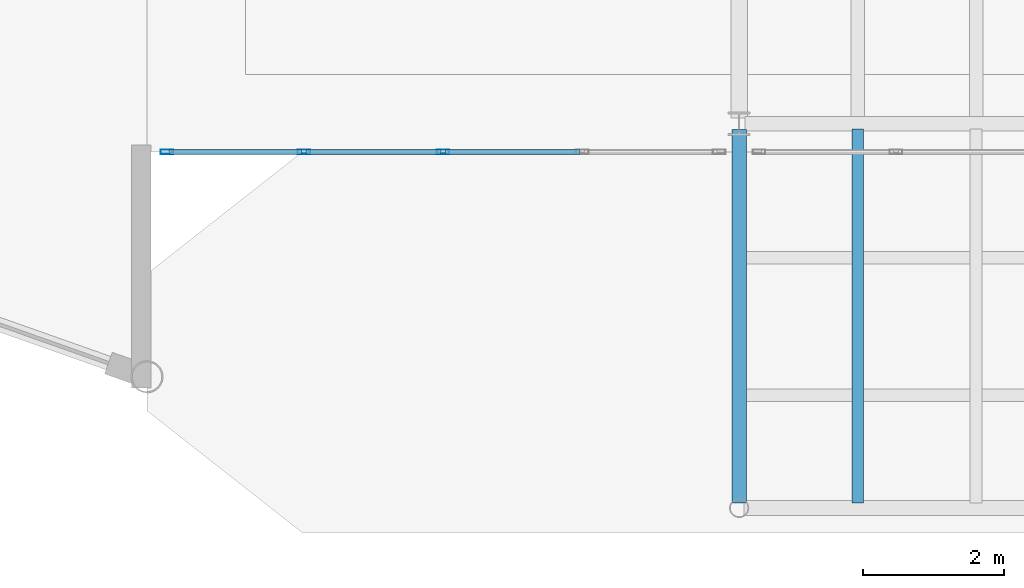
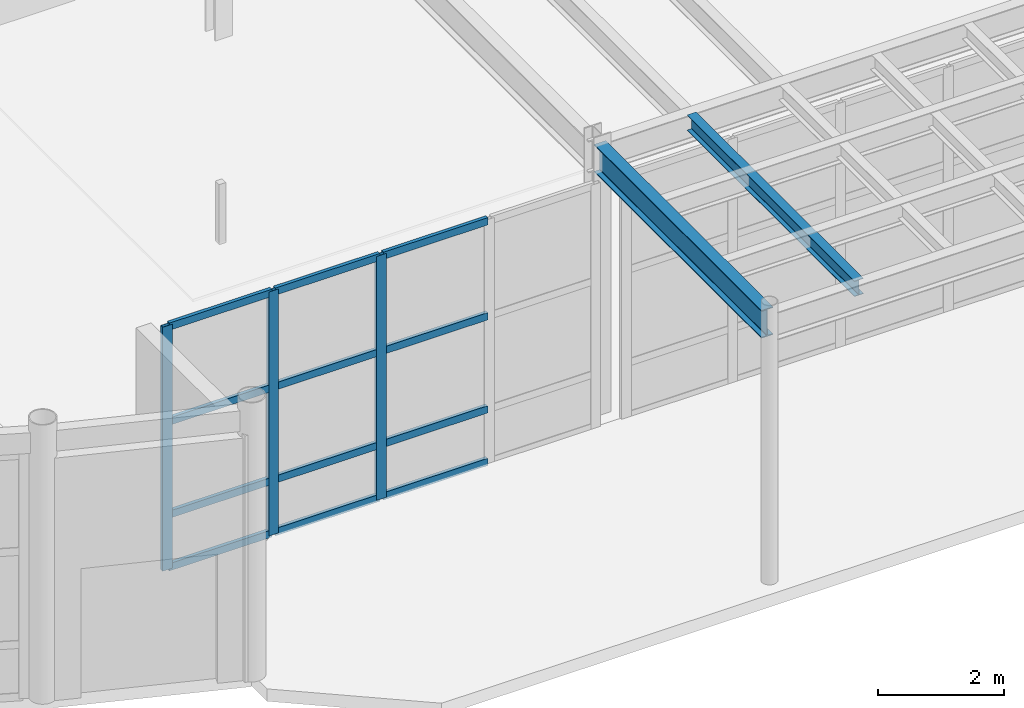
# One storey, part 25 of 87: 15 members, 2 beams, 1 element without a shape of its own.
"""IFC4 building model written with IfcOpenShell, lengths in metres."""

import ifcopenshell
import ifcopenshell.guid

model = None  # the IFC model being written
_history = None  # IfcOwnerHistory: only IFC2X3 demands one
_inside = {}  # id of a spatial element -> (the spatial element, [elements in it])
_under = {}  # id of a project, library or spatial element -> (it, [spatial elements below it])
_declared = {}  # id of a project -> (the project, [libraries it declares])
_typed = {}  # id of a type object -> (the type object, [elements of that type])
_made_of = {}  # id of a material, layer set ... -> (it, [elements and type objects made of it])


def new_model(schema):
    """Start an empty IFC model of exactly this schema.

    Asked for "IFC4X3", IfcOpenShell would pick the latest addendum, in which some entities
    have other attributes; the version numbers below select the first issue.
    IFC2X3 requires an IfcOwnerHistory on every rooted entity: one is made here for all.
    """
    global model, _history
    if schema == "IFC4X3":
        model = ifcopenshell.file(schema_version=(4, 3, 0, 0))
    else:
        model = ifcopenshell.file(schema=schema)
    _inside.clear()
    _under.clear()
    _declared.clear()
    _typed.clear()
    _made_of.clear()
    _history = None
    if model.schema == "IFC2X3":
        org = make("IfcOrganization", Name="unknown")
        user = make(
            "IfcPersonAndOrganization",
            ThePerson=make("IfcPerson", FamilyName="unknown"),
            TheOrganization=org,
        )
        app = make(
            "IfcApplication",
            ApplicationDeveloper=org,
            Version="unknown",
            ApplicationFullName="unknown",
            ApplicationIdentifier="unknown",
        )
        _history = make(
            "IfcOwnerHistory",
            OwningUser=user,
            OwningApplication=app,
            ChangeAction="ADDED",
            CreationDate=0,
        )
    return model


def make(cls, **values):
    """One entity of the class cls with the attributes given. An attribute that is None is left unset."""
    return model.create_entity(
        cls, **{name: value for name, value in values.items() if value is not None}
    )


def rooted(cls, **values):
    """An entity with a GlobalId (a new one), such as an element, a storey or a relation."""
    return make(cls, GlobalId=ifcopenshell.guid.new(), OwnerHistory=_history, **values)


def si_unit(unit_type, name, prefix=None):
    """IfcSIUnit, for example si_unit("LENGTHUNIT", "METRE", prefix="MILLI")."""
    return make("IfcSIUnit", UnitType=unit_type, Prefix=prefix, Name=name)


def assignment(units):
    """IfcUnitAssignment: the units of a project."""
    return None if units is None else make("IfcUnitAssignment", Units=units)


def point(xyz):
    """IfcCartesianPoint."""
    return None if xyz is None else make("IfcCartesianPoint", Coordinates=xyz)


def direction(xyz):
    """IfcDirection."""
    return None if xyz is None else make("IfcDirection", DirectionRatios=xyz)


def frame(location, z_axis=None, x_axis=None):
    """IfcAxis2Placement3D, a coordinate frame: its origin and axes. An axis left out is left unset."""
    return make(
        "IfcAxis2Placement3D",
        Location=point(location),
        Axis=direction(z_axis),
        RefDirection=direction(x_axis),
    )


def frame_2d(location, x_axis=None):
    """IfcAxis2Placement2D, a coordinate frame in the plane: its origin and x axis."""
    return make(
        "IfcAxis2Placement2D", Location=point(location), RefDirection=direction(x_axis)
    )


def origin():
    """The frame at (0, 0, 0) with its axes left unset."""
    return frame((0.0, 0.0, 0.0))


def origin_2d():
    """The frame at (0, 0) in the plane with its x axis left unset."""
    return frame_2d((0.0, 0.0))


def place(relative_to, where):
    """IfcLocalPlacement: puts the frame where relative to a parent placement (None: the world)."""
    return make(
        "IfcLocalPlacement", PlacementRelTo=relative_to, RelativePlacement=where
    )


def context(
    kind, dimensions, precision=None, world=None, true_north=None, identifier=None
):
    """IfcGeometricRepresentationContext, for example the 3D "Model" context."""
    return make(
        "IfcGeometricRepresentationContext",
        ContextIdentifier=identifier,
        ContextType=kind,
        CoordinateSpaceDimension=dimensions,
        Precision=precision,
        WorldCoordinateSystem=world,
        TrueNorth=true_north,
    )


def subcontext(parent, identifier, kind, view, scale=None):
    """IfcGeometricRepresentationSubContext, for example "Body" below "Model"."""
    return make(
        "IfcGeometricRepresentationSubContext",
        ContextIdentifier=identifier,
        ContextType=kind,
        ParentContext=parent,
        TargetScale=scale,
        TargetView=view,
    )


def project(units=None, contexts=None):
    """IfcProject with its units and contexts."""
    return rooted(
        "IfcProject",
        Name="project",
        RepresentationContexts=contexts,
        UnitsInContext=assignment(units),
    )


def spatial(cls, under=None, at=None, **own):
    """A site, building, storey or space (cls), placed at a placement, below another one or the project."""
    s = rooted(cls, ObjectPlacement=at, **own)
    if under is not None:
        _under.setdefault(under.id(), (under, []))[1].append(s)
    return s


def profile(cls, at=None, kind="AREA", **sizes):
    """A parametric profile (cls). Its sizes go by their IFC names, for example OverallWidth=200.0."""
    return make(cls, ProfileType=kind, Position=at, **sizes)


def hollow_rectangle(**sizes):
    """IfcRectangleHollowProfileDef."""
    return profile("IfcRectangleHollowProfileDef", **sizes)


def i_section(**sizes):
    """IfcIShapeProfileDef."""
    return profile("IfcIShapeProfileDef", **sizes)


def extrude(swept, where, along, depth):
    """IfcExtrudedAreaSolid: the profile swept, set in the frame where, extruded along a direction by depth."""
    return make(
        "IfcExtrudedAreaSolid",
        SweptArea=swept,
        Position=where,
        ExtrudedDirection=direction(along),
        Depth=depth,
    )


def shape(context_of_items, identifier, shape_type, items):
    """IfcShapeRepresentation: the items that make up one representation, for example the "Body"."""
    return make(
        "IfcShapeRepresentation",
        ContextOfItems=context_of_items,
        RepresentationIdentifier=identifier,
        RepresentationType=shape_type,
        Items=items,
    )


def material(Name=None, Category=None):
    """IfcMaterial."""
    return make("IfcMaterial", Name=Name, Category=Category)


def layer(
    of_material, thickness, ventilated=None, Name=None, Category=None, Priority=None
):
    """IfcMaterialLayer: one layer of a wall or slab, of a material (None: an air gap)."""
    return make(
        "IfcMaterialLayer",
        Material=of_material,
        LayerThickness=thickness,
        IsVentilated=ventilated,
        Name=Name,
        Category=Category,
        Priority=Priority,
    )


def layer_set(layers, Name=None):
    """IfcMaterialLayerSet."""
    return make("IfcMaterialLayerSet", MaterialLayers=layers, LayerSetName=Name)


def material_profile(
    of_material, cross_section, Name=None, Category=None, Priority=None
):
    """IfcMaterialProfile: a cross section and its material."""
    return make(
        "IfcMaterialProfile",
        Name=Name,
        Material=of_material,
        Profile=cross_section,
        Priority=Priority,
        Category=Category,
    )


def profile_set(profiles, Name=None, composite=None):
    """IfcMaterialProfileSet."""
    return make(
        "IfcMaterialProfileSet",
        Name=Name,
        MaterialProfiles=profiles,
        CompositeProfile=composite,
    )


def made_of(thing, what):
    """Note that an element or type object is made of a material, layer set ...; save() writes the relation."""
    if what is not None:
        _made_of.setdefault(what.id(), (what, []))[1].append(thing)
    return thing


def type_object(cls, material=None, **own):
    """A type object (cls), such as IfcWallType, which elements share."""
    return made_of(rooted(cls, **own), material)


def element(
    cls,
    number,
    at=None,
    inside=None,
    cuts=None,
    type_object=None,
    material=None,
    context=None,
    identifier="Body",
    shape_type=None,
    held_by="IfcProductDefinitionShape",
    body=None,
    shapes=None,
    **own,
):
    """One element of the class cls, such as IfcWall. Its Tag is "e" and its number.

    at: its placement. inside: the storey or other place that contains it. cuts: it is an
    opening in that element (IfcRelVoidsElement). A single representation is given by context,
    identifier, shape_type and body (its items); several are given by shapes. held_by: the class
    of the entity that holds the representations. save() writes the other relations.
    """
    e = rooted(cls, Tag="e%d" % number, ObjectPlacement=at, **own)
    if body is not None:
        shapes = [shape(context, identifier, shape_type, body)]
    if shapes is not None:
        e.Representation = make(held_by, Representations=shapes)
    if inside is not None:
        _inside.setdefault(inside.id(), (inside, []))[1].append(e)
    if cuts is not None:
        rooted(
            "IfcRelVoidsElement", RelatingBuildingElement=cuts, RelatedOpeningElement=e
        )
    if type_object is not None:
        _typed.setdefault(type_object.id(), (type_object, []))[1].append(e)
    return made_of(e, material)


def aggregate(whole, parts):
    """IfcRelAggregates: a whole, such as a stair, and the parts it consists of."""
    return rooted("IfcRelAggregates", RelatingObject=whole, RelatedObjects=parts)


def save(model, path):
    """Write the relations noted so far, then the file.

    IfcRelAggregates (storeys below a building ...), IfcRelContainedInSpatialStructure (elements
    in a storey), IfcRelDefinesByType, IfcRelAssociatesMaterial and IfcRelDeclares: one each for
    every whole, place, type object, material and project.
    """
    for whole, parts in _under.values():
        aggregate(whole, parts)
    for where, things in _inside.values():
        rooted(
            "IfcRelContainedInSpatialStructure",
            RelatedElements=things,
            RelatingStructure=where,
        )
    for kind, things in _typed.values():
        rooted("IfcRelDefinesByType", RelatedObjects=things, RelatingType=kind)
    for what, things in _made_of.values():
        rooted("IfcRelAssociatesMaterial", RelatedObjects=things, RelatingMaterial=what)
    for by, libraries in _declared.values():
        rooted("IfcRelDeclares", RelatingContext=by, RelatedDefinitions=libraries)
    model.write(path)


model = new_model("IFC4")

# Units and contexts
model_context = context("Model", 3, precision=1e-05, world=origin(), true_north=direction((0.0, 1.0)))
body_context = subcontext(model_context, "Body", "Model", "MODEL_VIEW")
ifc_project = project(units=[si_unit("LENGTHUNIT", "METRE"), si_unit("AREAUNIT", "SQUARE_METRE"), si_unit("VOLUMEUNIT", "CUBIC_METRE"), si_unit("PLANEANGLEUNIT", "RADIAN"), si_unit("MASSUNIT", "GRAM", prefix="KILO")], contexts=[model_context])

# Site, building, storey
site_placement = place(None, origin())
site = spatial("IfcSite", under=ifc_project, at=site_placement, CompositionType="ELEMENT")
building_placement = place(site_placement, origin())
building = spatial("IfcBuilding", under=site, at=building_placement, Name="Selat Folded Stagehouse", CompositionType="ELEMENT")
storey_placement = place(building_placement, origin())
storey = spatial("IfcBuildingStorey", under=building, at=storey_placement, Name="L00", CompositionType="ELEMENT", Elevation=0.0)

# Beam
ifc_material_1 = material(Name="Steel S355", Category="steel")
ifc_material_profile_1 = material_profile(ifc_material_1, i_section(OverallWidth=0.210693359375, OverallDepth=0.53955078125, WebThickness=0.01171875, FlangeThickness=0.018798828125, FilletRadius=0.0126953125, at=origin_2d()), Name="UKB 533x210x109")
ifc_profile_set_1 = profile_set([ifc_material_profile_1], Name="Steel S355")
beam_type_1 = type_object("IfcBeamType", Name="BM-GIRD-533x210x109", PredefinedType="BEAM", material=ifc_profile_set_1)
beam_1_placement = place(storey_placement, frame((42.0, 0.418212890625, 4.940185546875), z_axis=(0.0, 1.0, 0.0), x_axis=(-1.0, 0.0, 0.0)))
element("IfcBeam", 1, at=beam_1_placement, inside=storey, type_object=beam_type_1, Name="L00 primary y-girder 0564", PredefinedType="BEAM", context=body_context, shape_type="SweptSolid", body=[
    extrude(i_section(OverallWidth=0.210693359375, OverallDepth=0.53955078125, WebThickness=0.01171875, FlangeThickness=0.018798828125, FilletRadius=0.0126953125, at=origin_2d()), origin(), (0.0, 0.0, 1.0), 5.3017578125),
])

# Curtain wall, members
ifc_material_2 = material(Name="Aluminium 6063-T6", Category="aluminium")
ifc_layer = layer(ifc_material_2, 0.2099609375)
ifc_layer_set = layer_set([ifc_layer], Name="Aluminium 6063-T6")
curtain_wall_type = type_object("IfcCurtainWallType", Name="CW-FYR-SOUTH", PredefinedType="NOTDEFINED", material=ifc_layer_set)
curtain_wall_placement = place(storey_placement, origin())
curtain_wall = element("IfcCurtainWall", 2, at=curtain_wall_placement, inside=storey, type_object=curtain_wall_type, Name="L00 curtain wall CW-FYR-L00-00", PredefinedType="NOTDEFINED")
ifc_material_profile_2 = material_profile(ifc_material_2, hollow_rectangle(XDim=0.06494140625, YDim=0.179931640625, WallThickness=0.00390625, at=origin_2d()), Name="ALU 180x65x4.0")
ifc_profile_set_2 = profile_set([ifc_material_profile_2], Name="Aluminium 6063-T6")
member_type_1 = type_object("IfcMemberType", Name="CWM-MUL-180x65", PredefinedType="MULLION", material=ifc_profile_set_2)
member_1_placement = place(storey_placement, frame((37.800048828125, 5.39990234375, 0.0), z_axis=(0.0, 0.0, 1.0), x_axis=(0.0, -1.0, 0.0)))
member_1 = element("IfcMember", 3, at=member_1_placement, type_object=member_type_1, Name="CW-04 mullion 3", PredefinedType="MULLION", context=body_context, shape_type="SweptSolid", body=[
    extrude(hollow_rectangle(XDim=0.06494140625, YDim=0.179931640625, WallThickness=0.00390625, at=origin_2d()), origin(), (0.0, 0.0, 1.0), 4.719970703125),
])
member_2_placement = place(storey_placement, frame((35.824951171875, 5.39990234375, 0.0), z_axis=(0.0, 0.0, 1.0), x_axis=(0.0, -1.0, 0.0)))
member_2 = element("IfcMember", 4, at=member_2_placement, type_object=member_type_1, Name="CW-04 mullion 4", PredefinedType="MULLION", context=body_context, shape_type="SweptSolid", body=[
    extrude(hollow_rectangle(XDim=0.06494140625, YDim=0.179931640625, WallThickness=0.00390625, at=origin_2d()), origin(), (0.0, 0.0, 1.0), 4.719970703125),
])
member_3_placement = place(storey_placement, frame((33.882568359375, 5.39990234375, 0.0), z_axis=(0.0, 0.0, 1.0), x_axis=(0.0, -1.0, 0.0)))
member_3 = element("IfcMember", 5, at=member_3_placement, type_object=member_type_1, Name="CW-04 mullion 5", PredefinedType="MULLION", context=body_context, shape_type="SweptSolid", body=[
    extrude(hollow_rectangle(XDim=0.06494140625, YDim=0.179931640625, WallThickness=0.00390625, at=origin_2d()), origin(), (0.0, 0.0, 1.0), 4.719970703125),
])
ifc_material_profile_3 = material_profile(ifc_material_2, hollow_rectangle(XDim=0.06494140625, YDim=0.139892578125, WallThickness=0.00390625, at=origin_2d()), Name="ALU 140x65x4.0")
ifc_profile_set_3 = profile_set([ifc_material_profile_3], Name="Aluminium 6063-T6")
member_type_2 = type_object("IfcMemberType", Name="CWM-TRN-140x65", PredefinedType="USERDEFINED", material=ifc_profile_set_3)
member_4_placement = place(storey_placement, frame((39.742431640625, 5.39990234375, 0.032470703125), z_axis=(-1.0, 0.0, 0.0), x_axis=(0.0, -1.0, 0.0)))
member_4 = element("IfcMember", 6, at=member_4_placement, type_object=member_type_2, Name="CW-04 transom 2.1", ObjectType="TRANSOM", PredefinedType="USERDEFINED", context=body_context, shape_type="SweptSolid", body=[
    extrude(hollow_rectangle(XDim=0.06494140625, YDim=0.139892578125, WallThickness=0.00390625, at=origin_2d()), origin(), (0.0, 0.0, 1.0), 1.909912109375),
])
member_5_placement = place(storey_placement, frame((39.742431640625, 5.39990234375, 1.050048828125), z_axis=(-1.0, 0.0, 0.0), x_axis=(0.0, -1.0, 0.0)))
member_5 = element("IfcMember", 7, at=member_5_placement, type_object=member_type_2, Name="CW-04 transom 2.2", ObjectType="TRANSOM", PredefinedType="USERDEFINED", context=body_context, shape_type="SweptSolid", body=[
    extrude(hollow_rectangle(XDim=0.06494140625, YDim=0.139892578125, WallThickness=0.00390625, at=origin_2d()), origin(), (0.0, 0.0, 1.0), 1.909912109375),
])
member_6_placement = place(storey_placement, frame((39.742431640625, 5.39990234375, 2.85009765625), z_axis=(-1.0, 0.0, 0.0), x_axis=(0.0, -1.0, 0.0)))
member_6 = element("IfcMember", 8, at=member_6_placement, type_object=member_type_2, Name="CW-04 transom 2.3", ObjectType="TRANSOM", PredefinedType="USERDEFINED", context=body_context, shape_type="SweptSolid", body=[
    extrude(hollow_rectangle(XDim=0.06494140625, YDim=0.139892578125, WallThickness=0.00390625, at=origin_2d()), origin(), (0.0, 0.0, 1.0), 1.909912109375),
])
member_7_placement = place(storey_placement, frame((39.742431640625, 5.39990234375, 4.6875), z_axis=(-1.0, 0.0, 0.0), x_axis=(0.0, -1.0, 0.0)))
member_7 = element("IfcMember", 9, at=member_7_placement, type_object=member_type_2, Name="CW-04 transom 2.4", ObjectType="TRANSOM", PredefinedType="USERDEFINED", context=body_context, shape_type="SweptSolid", body=[
    extrude(hollow_rectangle(XDim=0.06494140625, YDim=0.139892578125, WallThickness=0.00390625, at=origin_2d()), origin(), (0.0, 0.0, 1.0), 1.909912109375),
])
member_8_placement = place(storey_placement, frame((37.767578125, 5.39990234375, 0.032470703125), z_axis=(-1.0, 0.0, 0.0), x_axis=(0.0, -1.0, 0.0)))
member_8 = element("IfcMember", 10, at=member_8_placement, type_object=member_type_2, Name="CW-04 transom 3.1", ObjectType="TRANSOM", PredefinedType="USERDEFINED", context=body_context, shape_type="SweptSolid", body=[
    extrude(hollow_rectangle(XDim=0.06494140625, YDim=0.139892578125, WallThickness=0.00390625, at=origin_2d()), origin(), (0.0, 0.0, 1.0), 1.91015625),
])
member_9_placement = place(storey_placement, frame((37.767578125, 5.39990234375, 1.050048828125), z_axis=(-1.0, 0.0, 0.0), x_axis=(0.0, -1.0, 0.0)))
member_9 = element("IfcMember", 11, at=member_9_placement, type_object=member_type_2, Name="CW-04 transom 3.2", ObjectType="TRANSOM", PredefinedType="USERDEFINED", context=body_context, shape_type="SweptSolid", body=[
    extrude(hollow_rectangle(XDim=0.06494140625, YDim=0.139892578125, WallThickness=0.00390625, at=origin_2d()), origin(), (0.0, 0.0, 1.0), 1.91015625),
])
member_10_placement = place(storey_placement, frame((37.767578125, 5.39990234375, 2.85009765625), z_axis=(-1.0, 0.0, 0.0), x_axis=(0.0, -1.0, 0.0)))
member_10 = element("IfcMember", 12, at=member_10_placement, type_object=member_type_2, Name="CW-04 transom 3.3", ObjectType="TRANSOM", PredefinedType="USERDEFINED", context=body_context, shape_type="SweptSolid", body=[
    extrude(hollow_rectangle(XDim=0.06494140625, YDim=0.139892578125, WallThickness=0.00390625, at=origin_2d()), origin(), (0.0, 0.0, 1.0), 1.91015625),
])
member_11_placement = place(storey_placement, frame((37.767578125, 5.39990234375, 4.6875), z_axis=(-1.0, 0.0, 0.0), x_axis=(0.0, -1.0, 0.0)))
member_11 = element("IfcMember", 13, at=member_11_placement, type_object=member_type_2, Name="CW-04 transom 3.4", ObjectType="TRANSOM", PredefinedType="USERDEFINED", context=body_context, shape_type="SweptSolid", body=[
    extrude(hollow_rectangle(XDim=0.06494140625, YDim=0.139892578125, WallThickness=0.00390625, at=origin_2d()), origin(), (0.0, 0.0, 1.0), 1.91015625),
])
member_12_placement = place(storey_placement, frame((35.79248046875, 5.39990234375, 0.032470703125), z_axis=(-1.0, 0.0, 0.0), x_axis=(0.0, -1.0, 0.0)))
member_12 = element("IfcMember", 14, at=member_12_placement, type_object=member_type_2, Name="CW-04 transom 4.1", ObjectType="TRANSOM", PredefinedType="USERDEFINED", context=body_context, shape_type="SweptSolid", body=[
    extrude(hollow_rectangle(XDim=0.06494140625, YDim=0.139892578125, WallThickness=0.00390625, at=origin_2d()), origin(), (0.0, 0.0, 1.0), 1.87744140625),
])
member_13_placement = place(storey_placement, frame((35.79248046875, 5.39990234375, 1.050048828125), z_axis=(-1.0, 0.0, 0.0), x_axis=(0.0, -1.0, 0.0)))
member_13 = element("IfcMember", 15, at=member_13_placement, type_object=member_type_2, Name="CW-04 transom 4.2", ObjectType="TRANSOM", PredefinedType="USERDEFINED", context=body_context, shape_type="SweptSolid", body=[
    extrude(hollow_rectangle(XDim=0.06494140625, YDim=0.139892578125, WallThickness=0.00390625, at=origin_2d()), origin(), (0.0, 0.0, 1.0), 1.87744140625),
])
member_14_placement = place(storey_placement, frame((35.79248046875, 5.39990234375, 2.85009765625), z_axis=(-1.0, 0.0, 0.0), x_axis=(0.0, -1.0, 0.0)))
member_14 = element("IfcMember", 16, at=member_14_placement, type_object=member_type_2, Name="CW-04 transom 4.3", ObjectType="TRANSOM", PredefinedType="USERDEFINED", context=body_context, shape_type="SweptSolid", body=[
    extrude(hollow_rectangle(XDim=0.06494140625, YDim=0.139892578125, WallThickness=0.00390625, at=origin_2d()), origin(), (0.0, 0.0, 1.0), 1.87744140625),
])
member_15_placement = place(storey_placement, frame((35.79248046875, 5.39990234375, 4.6875), z_axis=(-1.0, 0.0, 0.0), x_axis=(0.0, -1.0, 0.0)))
member_15 = element("IfcMember", 17, at=member_15_placement, type_object=member_type_2, Name="CW-04 transom 4.4", ObjectType="TRANSOM", PredefinedType="USERDEFINED", context=body_context, shape_type="SweptSolid", body=[
    extrude(hollow_rectangle(XDim=0.06494140625, YDim=0.139892578125, WallThickness=0.00390625, at=origin_2d()), origin(), (0.0, 0.0, 1.0), 1.87744140625),
])
aggregate(curtain_wall, [member_1, member_2, member_3, member_4, member_5, member_6, member_7, member_8, member_9, member_10, member_11, member_12, member_13, member_14, member_15])

# Beam
ifc_material_profile_4 = material_profile(ifc_material_1, i_section(OverallWidth=0.1650390625, OverallDepth=0.303466796875, WebThickness=0.006103515625, FlangeThickness=0.01025390625, FilletRadius=0.0087890625, at=origin_2d()), Name="UKB 305x165x40")
ifc_profile_set_4 = profile_set([ifc_material_profile_4], Name="Steel S355")
beam_type_2 = type_object("IfcBeamType", Name="JST-305x165x40", PredefinedType="JOIST", material=ifc_profile_set_4)
beam_2_placement = place(storey_placement, frame((43.679931640625, 0.42333984375, 5.0283203125), z_axis=(0.0, 1.0, 0.0), x_axis=(-1.0, 0.0, 0.0)))
element("IfcBeam", 18, at=beam_2_placement, inside=storey, type_object=beam_type_2, Name="L00 secondary floor joist 0642", PredefinedType="JOIST", context=body_context, shape_type="SweptSolid", body=[
    extrude(i_section(OverallWidth=0.1650390625, OverallDepth=0.303466796875, WebThickness=0.006103515625, FlangeThickness=0.01025390625, FilletRadius=0.0087890625, at=origin_2d()), origin(), (0.0, 0.0, 1.0), 5.303466796875),
])

save(model, "model.ifc")
